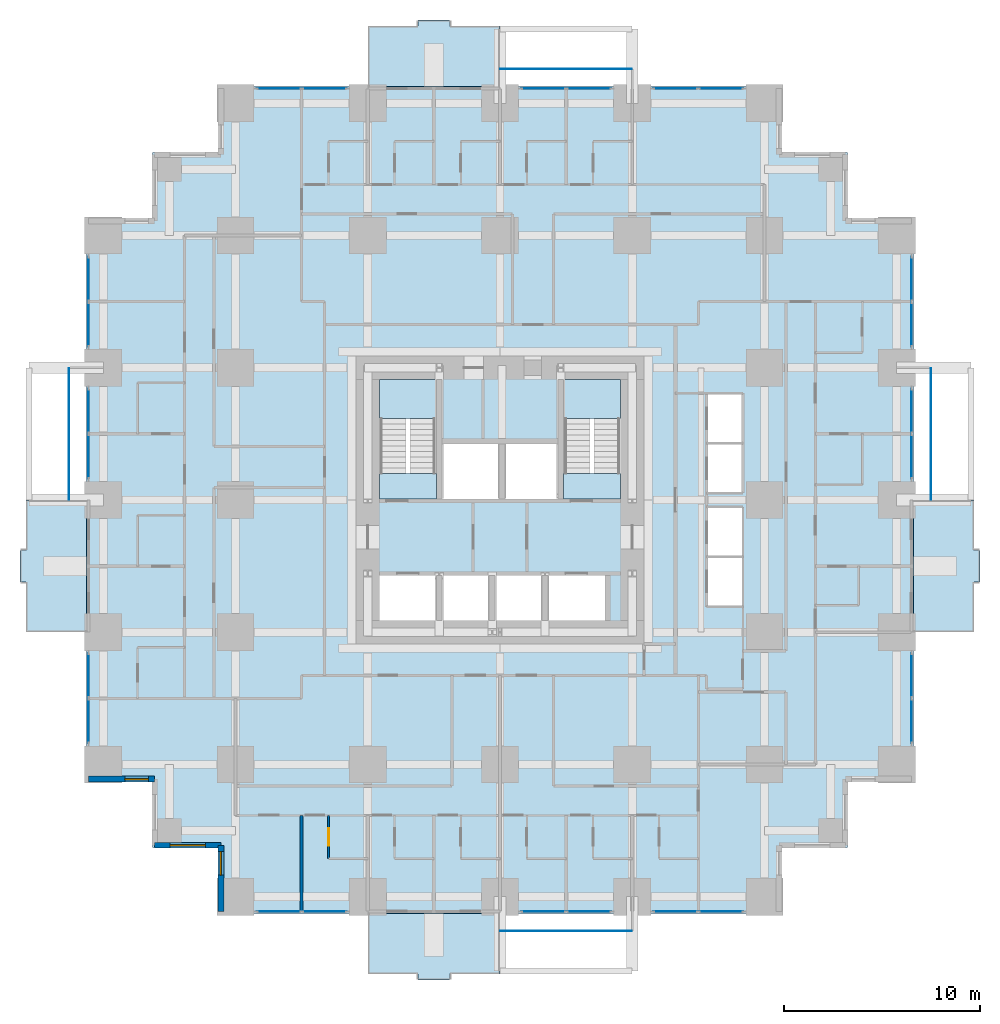
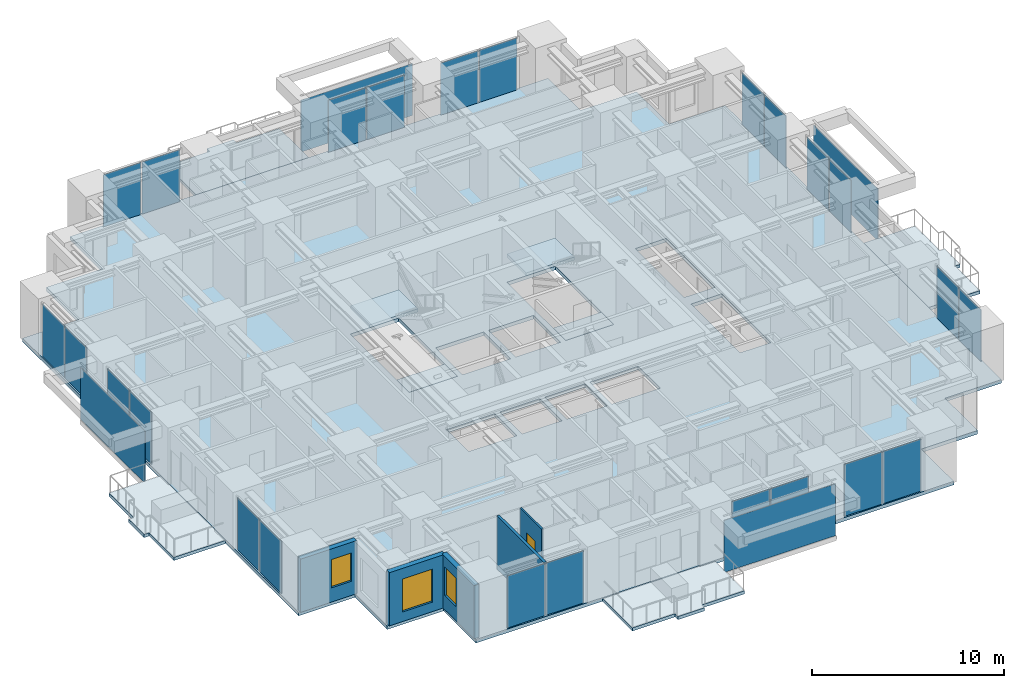
# One storey, part 7 of 14: 28 plates, 9 slabs, 5 walls, 3 windows, 1 door, 4 openings, 14 elements without a shape of their own.
"""IFC4 building model written with IfcOpenShell, lengths in metres."""

from ifc_helpers import new_model, si_unit, direction, frame, frame_2d, origin, origin_2d, place, context, subcontext, project, spatial, polyline, rectangle, outline, extrude, material, layer, layer_set, type_object, element, fill, aggregate, save


model = new_model("IFC4")

# Units and contexts
model_context = context("Model", 3, precision=1e-05, world=origin(), true_north=direction((0.0, 1.0)))
body_context = subcontext(model_context, "Body", "Model", "MODEL_VIEW")
ifc_project = project(units=[si_unit("LENGTHUNIT", "METRE"), si_unit("AREAUNIT", "SQUARE_METRE"), si_unit("VOLUMEUNIT", "CUBIC_METRE"), si_unit("PLANEANGLEUNIT", "RADIAN"), si_unit("MASSUNIT", "GRAM", prefix="KILO")], contexts=[model_context])

# Site, building, storey
site_placement = place(None, origin())
site = spatial("IfcSite", under=ifc_project, at=site_placement, CompositionType="ELEMENT")
building_placement = place(site_placement, origin())
building = spatial("IfcBuilding", under=site, at=building_placement, Name="Nyansa Garden Tower", CompositionType="ELEMENT")
storey_placement = place(building_placement, frame((0.0, 0.0, 39.60009765625)))
storey = spatial("IfcBuildingStorey", under=building, at=storey_placement, Name="L10", CompositionType="ELEMENT", Elevation=39.60009765625)

# Slabs
ifc_material_1 = material(Name="Concrete C40/50", Category="concrete")
ifc_layer_1 = layer(ifc_material_1, 0.199951171875)
ifc_layer_set_1 = layer_set([ifc_layer_1], Name="Balcony slab BS200")
slab_type_1 = type_object("IfcSlabType", Name="Balcony slab BS200", PredefinedType="FLOOR", material=ifc_layer_set_1)
slab_1_placement = place(storey_placement, frame((0.0, 0.0, -0.239990234375)))
element("IfcSlab", 1, at=slab_1_placement, inside=storey, type_object=slab_type_1, Name="Balcony L10 S", PredefinedType="FLOOR", context=body_context, shape_type="SweptSolid", body=[
    extrude(outline(polyline([(13.5, -0.85009765625), (20.25, -0.85009765625), (20.25, -3.949951171875), (17.675048828125, -3.949951171875), (17.675048828125, -4.25), (16.074951171875, -4.25), (16.074951171875, -3.949951171875), (13.5, -3.949951171875), (13.5, -0.85009765625)])), origin(), (0.0, 0.0, 1.0), 0.199951171875),
])
slab_2_placement = place(storey_placement, frame((0.0, 0.0, -0.239990234375)))
element("IfcSlab", 2, at=slab_2_placement, inside=storey, type_object=slab_type_1, Name="Balcony L10 E", PredefinedType="FLOOR", context=body_context, shape_type="SweptSolid", body=[
    extrude(outline(polyline([(41.35009765625, 13.5), (41.35009765625, 20.25), (44.449951171875, 20.25), (44.449951171875, 17.675048828125), (44.75, 17.675048828125), (44.75, 16.074951171875), (44.449951171875, 16.074951171875), (44.449951171875, 13.5), (41.35009765625, 13.5)])), origin(), (0.0, 0.0, 1.0), 0.199951171875),
])
slab_3_placement = place(storey_placement, frame((0.0, 0.0, -0.239990234375)))
element("IfcSlab", 3, at=slab_3_placement, inside=storey, type_object=slab_type_1, Name="Balcony L10 N", PredefinedType="FLOOR", context=body_context, shape_type="SweptSolid", body=[
    extrude(outline(polyline([(13.5, 41.35009765625), (20.25, 41.35009765625), (20.25, 44.449951171875), (17.675048828125, 44.449951171875), (17.675048828125, 44.75), (16.074951171875, 44.75), (16.074951171875, 44.449951171875), (13.5, 44.449951171875), (13.5, 41.35009765625)])), origin(), (0.0, 0.0, 1.0), 0.199951171875),
])
slab_4_placement = place(storey_placement, frame((0.0, 0.0, -0.239990234375)))
element("IfcSlab", 4, at=slab_4_placement, inside=storey, type_object=slab_type_1, Name="Balcony L10 W", PredefinedType="FLOOR", context=body_context, shape_type="SweptSolid", body=[
    extrude(outline(polyline([(-0.85009765625, 13.5), (-0.85009765625, 20.25), (-3.949951171875, 20.25), (-3.949951171875, 17.675048828125), (-4.25, 17.675048828125), (-4.25, 16.074951171875), (-3.949951171875, 16.074951171875), (-3.949951171875, 13.5), (-0.85009765625, 13.5)])), origin(), (0.0, 0.0, 1.0), 0.199951171875),
])

# Curtain wall, plates
ifc_material_2 = material(Name="Black anodised aluminium, dark tinted double glazing", Category="aluminium")
curtain_wall_type = type_object("IfcCurtainWallType", Name="Inner skin curtain wall ISW-A", PredefinedType="USERDEFINED", material=ifc_material_2)
curtain_wall_1_placement = place(storey_placement, origin())
curtain_wall_1 = element("IfcCurtainWall", 5, at=curtain_wall_1_placement, inside=storey, type_object=curtain_wall_type, Name="Inner skin curtain wall L10 E", ObjectType="UNITISED CURTAIN WALL", PredefinedType="USERDEFINED")
ifc_material_3 = material(Name="Dark tinted laminated double glazing", Category="glass")
ifc_layer_2 = layer(ifc_material_3, 0.031982421875)
ifc_layer_set_2 = layer_set([ifc_layer_2], Name="Dark tinted vision panel VP-A")
plate_type_1 = type_object("IfcPlateType", Name="Dark tinted vision panel VP-A", PredefinedType="CURTAIN_PANEL", material=ifc_layer_set_2)
plate_1_placement = place(storey_placement, frame((41.25, 8.96240234375, -0.000244140625), z_axis=(0.0, 0.0, 1.0), x_axis=(0.0, 1.0, 0.0)))
plate_1 = element("IfcPlate", 6, at=plate_1_placement, type_object=plate_type_1, Name="ISW-A panel 1", PredefinedType="CURTAIN_PANEL", context=body_context, shape_type="SweptSolid", body=[
    extrude(rectangle(XDim=2.260009765625, YDim=0.031982421875, at=origin_2d()), origin(), (0.0, 0.0, 1.0), 3.31005859375),
])
plate_2_placement = place(storey_placement, frame((41.25, 11.28759765625, -0.000244140625), z_axis=(0.0, 0.0, 1.0), x_axis=(0.0, 1.0, 0.0)))
plate_2 = element("IfcPlate", 7, at=plate_2_placement, type_object=plate_type_1, Name="ISW-A panel 2", PredefinedType="CURTAIN_PANEL", context=body_context, shape_type="SweptSolid", body=[
    extrude(rectangle(XDim=2.260009765625, YDim=0.031982421875, at=origin_2d()), origin(), (0.0, 0.0, 1.0), 3.31005859375),
])
aggregate(curtain_wall_1, [plate_1, plate_2])

curtain_wall_2_placement = place(storey_placement, origin())
curtain_wall_2 = element("IfcCurtainWall", 8, at=curtain_wall_2_placement, inside=storey, type_object=curtain_wall_type, Name="Inner skin curtain wall L10 E", ObjectType="UNITISED CURTAIN WALL", PredefinedType="USERDEFINED")
plate_3_placement = place(storey_placement, frame((41.25, 22.46240234375, -0.000244140625), z_axis=(0.0, 0.0, 1.0), x_axis=(0.0, 1.0, 0.0)))
plate_3 = element("IfcPlate", 9, at=plate_3_placement, type_object=plate_type_1, Name="ISW-A panel 1", PredefinedType="CURTAIN_PANEL", context=body_context, shape_type="SweptSolid", body=[
    extrude(rectangle(XDim=2.260009765625, YDim=0.031982421875, at=origin_2d()), origin(), (0.0, 0.0, 1.0), 3.31005859375),
])
plate_4_placement = place(storey_placement, frame((41.25, 24.78759765625, -0.000244140625), z_axis=(0.0, 0.0, 1.0), x_axis=(0.0, 1.0, 0.0)))
plate_4 = element("IfcPlate", 10, at=plate_4_placement, type_object=plate_type_1, Name="ISW-A panel 2", PredefinedType="CURTAIN_PANEL", context=body_context, shape_type="SweptSolid", body=[
    extrude(rectangle(XDim=2.260009765625, YDim=0.031982421875, at=origin_2d()), origin(), (0.0, 0.0, 1.0), 3.31005859375),
])
aggregate(curtain_wall_2, [plate_3, plate_4])

curtain_wall_3_placement = place(storey_placement, origin())
curtain_wall_3 = element("IfcCurtainWall", 11, at=curtain_wall_3_placement, inside=storey, type_object=curtain_wall_type, Name="Inner skin curtain wall L10 E", ObjectType="UNITISED CURTAIN WALL", PredefinedType="USERDEFINED")
plate_5_placement = place(storey_placement, frame((41.25, 29.21240234375, -0.000244140625), z_axis=(0.0, 0.0, 1.0), x_axis=(0.0, 1.0, 0.0)))
plate_5 = element("IfcPlate", 12, at=plate_5_placement, type_object=plate_type_1, Name="ISW-A panel 1", PredefinedType="CURTAIN_PANEL", context=body_context, shape_type="SweptSolid", body=[
    extrude(rectangle(XDim=2.260009765625, YDim=0.031982421875, at=origin_2d()), origin(), (0.0, 0.0, 1.0), 3.31005859375),
])
plate_6_placement = place(storey_placement, frame((41.25, 31.53759765625, -0.000244140625), z_axis=(0.0, 0.0, 1.0), x_axis=(0.0, 1.0, 0.0)))
plate_6 = element("IfcPlate", 13, at=plate_6_placement, type_object=plate_type_1, Name="ISW-A panel 2", PredefinedType="CURTAIN_PANEL", context=body_context, shape_type="SweptSolid", body=[
    extrude(rectangle(XDim=2.260009765625, YDim=0.031982421875, at=origin_2d()), origin(), (0.0, 0.0, 1.0), 3.31005859375),
])
aggregate(curtain_wall_3, [plate_5, plate_6])

curtain_wall_4_placement = place(storey_placement, origin())
curtain_wall_4 = element("IfcCurtainWall", 14, at=curtain_wall_4_placement, inside=storey, type_object=curtain_wall_type, Name="Inner skin curtain wall L10 N", ObjectType="UNITISED CURTAIN WALL", PredefinedType="USERDEFINED")
plate_7_placement = place(storey_placement, frame((11.28759765625, 41.25, -0.000244140625), z_axis=(0.0, 0.0, 1.0), x_axis=(-1.0, 0.0, 0.0)))
plate_7 = element("IfcPlate", 15, at=plate_7_placement, type_object=plate_type_1, Name="ISW-A panel 1", PredefinedType="CURTAIN_PANEL", context=body_context, shape_type="SweptSolid", body=[
    extrude(rectangle(XDim=2.260009765625, YDim=0.031982421875, at=origin_2d()), origin(), (0.0, 0.0, 1.0), 3.31005859375),
])
plate_8_placement = place(storey_placement, frame((8.96240234375, 41.25, -0.000244140625), z_axis=(0.0, 0.0, 1.0), x_axis=(-1.0, 0.0, 0.0)))
plate_8 = element("IfcPlate", 16, at=plate_8_placement, type_object=plate_type_1, Name="ISW-A panel 2", PredefinedType="CURTAIN_PANEL", context=body_context, shape_type="SweptSolid", body=[
    extrude(rectangle(XDim=2.260009765625, YDim=0.031982421875, at=origin_2d()), origin(), (0.0, 0.0, 1.0), 3.31005859375),
])
aggregate(curtain_wall_4, [plate_7, plate_8])

curtain_wall_5_placement = place(storey_placement, origin())
curtain_wall_5 = element("IfcCurtainWall", 17, at=curtain_wall_5_placement, inside=storey, type_object=curtain_wall_type, Name="Inner skin curtain wall L10 N", ObjectType="UNITISED CURTAIN WALL", PredefinedType="USERDEFINED")
plate_9_placement = place(storey_placement, frame((31.53759765625, 41.25, -0.000244140625), z_axis=(0.0, 0.0, 1.0), x_axis=(-1.0, 0.0, 0.0)))
plate_9 = element("IfcPlate", 18, at=plate_9_placement, type_object=plate_type_1, Name="ISW-A panel 1", PredefinedType="CURTAIN_PANEL", context=body_context, shape_type="SweptSolid", body=[
    extrude(rectangle(XDim=2.260009765625, YDim=0.031982421875, at=origin_2d()), origin(), (0.0, 0.0, 1.0), 3.31005859375),
])
plate_10_placement = place(storey_placement, frame((29.21240234375, 41.25, -0.000244140625), z_axis=(0.0, 0.0, 1.0), x_axis=(-1.0, 0.0, 0.0)))
plate_10 = element("IfcPlate", 19, at=plate_10_placement, type_object=plate_type_1, Name="ISW-A panel 2", PredefinedType="CURTAIN_PANEL", context=body_context, shape_type="SweptSolid", body=[
    extrude(rectangle(XDim=2.260009765625, YDim=0.031982421875, at=origin_2d()), origin(), (0.0, 0.0, 1.0), 3.31005859375),
])
aggregate(curtain_wall_5, [plate_9, plate_10])

curtain_wall_6_placement = place(storey_placement, origin())
curtain_wall_6 = element("IfcCurtainWall", 20, at=curtain_wall_6_placement, inside=storey, type_object=curtain_wall_type, Name="Inner skin curtain wall L10 N", ObjectType="UNITISED CURTAIN WALL", PredefinedType="USERDEFINED")
plate_11_placement = place(storey_placement, frame((24.78759765625, 41.25, -0.000244140625), z_axis=(0.0, 0.0, 1.0), x_axis=(-1.0, 0.0, 0.0)))
plate_11 = element("IfcPlate", 21, at=plate_11_placement, type_object=plate_type_1, Name="ISW-A panel 1", PredefinedType="CURTAIN_PANEL", context=body_context, shape_type="SweptSolid", body=[
    extrude(rectangle(XDim=2.260009765625, YDim=0.031982421875, at=origin_2d()), origin(), (0.0, 0.0, 1.0), 3.31005859375),
])
plate_12_placement = place(storey_placement, frame((22.46240234375, 41.25, -0.000244140625), z_axis=(0.0, 0.0, 1.0), x_axis=(-1.0, 0.0, 0.0)))
plate_12 = element("IfcPlate", 22, at=plate_12_placement, type_object=plate_type_1, Name="ISW-A panel 2", PredefinedType="CURTAIN_PANEL", context=body_context, shape_type="SweptSolid", body=[
    extrude(rectangle(XDim=2.260009765625, YDim=0.031982421875, at=origin_2d()), origin(), (0.0, 0.0, 1.0), 3.31005859375),
])
aggregate(curtain_wall_6, [plate_11, plate_12])

curtain_wall_7_placement = place(storey_placement, origin())
curtain_wall_7 = element("IfcCurtainWall", 23, at=curtain_wall_7_placement, inside=storey, type_object=curtain_wall_type, Name="Inner skin curtain wall L10 W", ObjectType="UNITISED CURTAIN WALL", PredefinedType="USERDEFINED")
plate_13_placement = place(storey_placement, frame((-0.75, 11.28759765625, -0.000244140625), z_axis=(0.0, 0.0, 1.0), x_axis=(0.0, -1.0, 0.0)))
plate_13 = element("IfcPlate", 24, at=plate_13_placement, type_object=plate_type_1, Name="ISW-A panel 1", PredefinedType="CURTAIN_PANEL", context=body_context, shape_type="SweptSolid", body=[
    extrude(rectangle(XDim=2.260009765625, YDim=0.031982421875, at=origin_2d()), origin(), (0.0, 0.0, 1.0), 3.31005859375),
])
plate_14_placement = place(storey_placement, frame((-0.75, 8.96240234375, -0.000244140625), z_axis=(0.0, 0.0, 1.0), x_axis=(0.0, -1.0, 0.0)))
plate_14 = element("IfcPlate", 25, at=plate_14_placement, type_object=plate_type_1, Name="ISW-A panel 2", PredefinedType="CURTAIN_PANEL", context=body_context, shape_type="SweptSolid", body=[
    extrude(rectangle(XDim=2.260009765625, YDim=0.031982421875, at=origin_2d()), origin(), (0.0, 0.0, 1.0), 3.31005859375),
])
aggregate(curtain_wall_7, [plate_13, plate_14])

curtain_wall_8_placement = place(storey_placement, origin())
curtain_wall_8 = element("IfcCurtainWall", 26, at=curtain_wall_8_placement, inside=storey, type_object=curtain_wall_type, Name="Inner skin curtain wall L10 W", ObjectType="UNITISED CURTAIN WALL", PredefinedType="USERDEFINED")
plate_15_placement = place(storey_placement, frame((-0.75, 31.53759765625, -0.000244140625), z_axis=(0.0, 0.0, 1.0), x_axis=(0.0, -1.0, 0.0)))
plate_15 = element("IfcPlate", 27, at=plate_15_placement, type_object=plate_type_1, Name="ISW-A panel 1", PredefinedType="CURTAIN_PANEL", context=body_context, shape_type="SweptSolid", body=[
    extrude(rectangle(XDim=2.260009765625, YDim=0.031982421875, at=origin_2d()), origin(), (0.0, 0.0, 1.0), 3.31005859375),
])
plate_16_placement = place(storey_placement, frame((-0.75, 29.21240234375, -0.000244140625), z_axis=(0.0, 0.0, 1.0), x_axis=(0.0, -1.0, 0.0)))
plate_16 = element("IfcPlate", 28, at=plate_16_placement, type_object=plate_type_1, Name="ISW-A panel 2", PredefinedType="CURTAIN_PANEL", context=body_context, shape_type="SweptSolid", body=[
    extrude(rectangle(XDim=2.260009765625, YDim=0.031982421875, at=origin_2d()), origin(), (0.0, 0.0, 1.0), 3.31005859375),
])
aggregate(curtain_wall_8, [plate_15, plate_16])

curtain_wall_9_placement = place(storey_placement, origin())
curtain_wall_9 = element("IfcCurtainWall", 29, at=curtain_wall_9_placement, inside=storey, type_object=curtain_wall_type, Name="Inner skin curtain wall L10 W", ObjectType="UNITISED CURTAIN WALL", PredefinedType="USERDEFINED")
plate_17_placement = place(storey_placement, frame((-0.75, 24.78759765625, -0.000244140625), z_axis=(0.0, 0.0, 1.0), x_axis=(0.0, -1.0, 0.0)))
plate_17 = element("IfcPlate", 30, at=plate_17_placement, type_object=plate_type_1, Name="ISW-A panel 1", PredefinedType="CURTAIN_PANEL", context=body_context, shape_type="SweptSolid", body=[
    extrude(rectangle(XDim=2.260009765625, YDim=0.031982421875, at=origin_2d()), origin(), (0.0, 0.0, 1.0), 3.31005859375),
])
plate_18_placement = place(storey_placement, frame((-0.75, 22.46240234375, -0.000244140625), z_axis=(0.0, 0.0, 1.0), x_axis=(0.0, -1.0, 0.0)))
plate_18 = element("IfcPlate", 31, at=plate_18_placement, type_object=plate_type_1, Name="ISW-A panel 2", PredefinedType="CURTAIN_PANEL", context=body_context, shape_type="SweptSolid", body=[
    extrude(rectangle(XDim=2.260009765625, YDim=0.031982421875, at=origin_2d()), origin(), (0.0, 0.0, 1.0), 3.31005859375),
])
aggregate(curtain_wall_9, [plate_17, plate_18])

curtain_wall_10_placement = place(storey_placement, origin())
curtain_wall_10 = element("IfcCurtainWall", 32, at=curtain_wall_10_placement, inside=storey, type_object=curtain_wall_type, Name="Inner skin curtain wall L10 S", ObjectType="UNITISED CURTAIN WALL", PredefinedType="USERDEFINED")
plate_19_placement = place(storey_placement, frame((8.96240234375, -0.75, -0.000244140625), z_axis=(0.0, 0.0, 1.0), x_axis=(1.0, 0.0, 0.0)))
plate_19 = element("IfcPlate", 33, at=plate_19_placement, type_object=plate_type_1, Name="ISW-A panel 1", PredefinedType="CURTAIN_PANEL", context=body_context, shape_type="SweptSolid", body=[
    extrude(rectangle(XDim=2.260009765625, YDim=0.031982421875, at=origin_2d()), origin(), (0.0, 0.0, 1.0), 3.31005859375),
])
plate_20_placement = place(storey_placement, frame((11.28759765625, -0.75, -0.000244140625), z_axis=(0.0, 0.0, 1.0), x_axis=(1.0, 0.0, 0.0)))
plate_20 = element("IfcPlate", 34, at=plate_20_placement, type_object=plate_type_1, Name="ISW-A panel 2", PredefinedType="CURTAIN_PANEL", context=body_context, shape_type="SweptSolid", body=[
    extrude(rectangle(XDim=2.260009765625, YDim=0.031982421875, at=origin_2d()), origin(), (0.0, 0.0, 1.0), 3.31005859375),
])
aggregate(curtain_wall_10, [plate_19, plate_20])

curtain_wall_11_placement = place(storey_placement, origin())
curtain_wall_11 = element("IfcCurtainWall", 35, at=curtain_wall_11_placement, inside=storey, type_object=curtain_wall_type, Name="Inner skin curtain wall L10 S", ObjectType="UNITISED CURTAIN WALL", PredefinedType="USERDEFINED")
plate_21_placement = place(storey_placement, frame((22.46240234375, -0.75, -0.000244140625), z_axis=(0.0, 0.0, 1.0), x_axis=(1.0, 0.0, 0.0)))
plate_21 = element("IfcPlate", 36, at=plate_21_placement, type_object=plate_type_1, Name="ISW-A panel 1", PredefinedType="CURTAIN_PANEL", context=body_context, shape_type="SweptSolid", body=[
    extrude(rectangle(XDim=2.260009765625, YDim=0.031982421875, at=origin_2d()), origin(), (0.0, 0.0, 1.0), 3.31005859375),
])
plate_22_placement = place(storey_placement, frame((24.78759765625, -0.75, -0.000244140625), z_axis=(0.0, 0.0, 1.0), x_axis=(1.0, 0.0, 0.0)))
plate_22 = element("IfcPlate", 37, at=plate_22_placement, type_object=plate_type_1, Name="ISW-A panel 2", PredefinedType="CURTAIN_PANEL", context=body_context, shape_type="SweptSolid", body=[
    extrude(rectangle(XDim=2.260009765625, YDim=0.031982421875, at=origin_2d()), origin(), (0.0, 0.0, 1.0), 3.31005859375),
])
aggregate(curtain_wall_11, [plate_21, plate_22])

curtain_wall_12_placement = place(storey_placement, origin())
curtain_wall_12 = element("IfcCurtainWall", 38, at=curtain_wall_12_placement, inside=storey, type_object=curtain_wall_type, Name="Inner skin curtain wall L10 S", ObjectType="UNITISED CURTAIN WALL", PredefinedType="USERDEFINED")
plate_23_placement = place(storey_placement, frame((29.21240234375, -0.75, -0.000244140625), z_axis=(0.0, 0.0, 1.0), x_axis=(1.0, 0.0, 0.0)))
plate_23 = element("IfcPlate", 39, at=plate_23_placement, type_object=plate_type_1, Name="ISW-A panel 1", PredefinedType="CURTAIN_PANEL", context=body_context, shape_type="SweptSolid", body=[
    extrude(rectangle(XDim=2.260009765625, YDim=0.031982421875, at=origin_2d()), origin(), (0.0, 0.0, 1.0), 3.31005859375),
])
plate_24_placement = place(storey_placement, frame((31.53759765625, -0.75, -0.000244140625), z_axis=(0.0, 0.0, 1.0), x_axis=(1.0, 0.0, 0.0)))
plate_24 = element("IfcPlate", 40, at=plate_24_placement, type_object=plate_type_1, Name="ISW-A panel 2", PredefinedType="CURTAIN_PANEL", context=body_context, shape_type="SweptSolid", body=[
    extrude(rectangle(XDim=2.260009765625, YDim=0.031982421875, at=origin_2d()), origin(), (0.0, 0.0, 1.0), 3.31005859375),
])
aggregate(curtain_wall_12, [plate_23, plate_24])

# Slab
ifc_material_4 = material(Name="Concrete C40/50", Category="concrete")
ifc_layer_3 = layer(ifc_material_4, 0.22509765625)
ifc_layer_set_3 = layer_set([ifc_layer_3], Name="Floor slab FS225")
slab_type_2 = type_object("IfcSlabType", Name="Floor slab FS225", PredefinedType="FLOOR", material=ifc_layer_set_3)
slab_5_placement = place(storey_placement, frame((0.0, 0.0, -0.22509765625)))
element("IfcSlab", 41, at=slab_5_placement, inside=storey, type_object=slab_type_2, Name="Floor slab L10", PredefinedType="FLOOR", context=body_context, shape_type="SweptSolid", body=[
    extrude(outline(polyline([(41.35009765625, 5.89990234375), (37.97509765625, 5.89990234375), (37.97509765625, 2.52490234375), (34.60009765625, 2.52490234375), (34.60009765625, -0.85009765625), (5.89990234375, -0.85009765625), (5.89990234375, 2.52490234375), (2.52490234375, 2.52490234375), (2.52490234375, 5.89990234375), (-0.85009765625, 5.89990234375), (-0.85009765625, 34.60009765625), (2.52490234375, 34.60009765625), (2.52490234375, 37.97509765625), (5.89990234375, 37.97509765625), (5.89990234375, 41.35009765625), (34.60009765625, 41.35009765625), (34.60009765625, 37.97509765625), (37.97509765625, 37.97509765625), (37.97509765625, 34.60009765625), (41.35009765625, 34.60009765625), (41.35009765625, 5.89990234375)]), holes=[polyline([(14.10009765625, 14.10009765625), (17.0, 14.10009765625), (17.0, 16.39990234375), (14.10009765625, 16.39990234375), (14.10009765625, 14.10009765625)]), polyline([(17.300048828125, 14.10009765625), (19.699951171875, 14.10009765625), (19.699951171875, 16.39990234375), (17.300048828125, 16.39990234375), (17.300048828125, 14.10009765625)]), polyline([(20.0, 14.10009765625), (22.39990234375, 14.10009765625), (22.39990234375, 16.39990234375), (20.0, 16.39990234375), (20.0, 14.10009765625)]), polyline([(22.699951171875, 14.10009765625), (25.60009765625, 14.10009765625), (25.60009765625, 16.39990234375), (22.699951171875, 16.39990234375), (22.699951171875, 14.10009765625)]), polyline([(17.300048828125, 20.300048828125), (20.199951171875, 20.300048828125), (20.199951171875, 23.10009765625), (17.300048828125, 23.10009765625), (17.300048828125, 20.300048828125)]), polyline([(20.5, 20.300048828125), (23.199951171875, 20.300048828125), (23.199951171875, 23.10009765625), (20.5, 23.10009765625), (20.5, 20.300048828125)]), polyline([(30.800048828125, 14.800048828125), (32.64990234375, 14.800048828125), (32.64990234375, 19.89990234375), (30.800048828125, 19.89990234375), (30.800048828125, 14.800048828125)]), polyline([(30.800048828125, 20.60009765625), (32.64990234375, 20.60009765625), (32.64990234375, 25.699951171875), (30.800048828125, 25.699951171875), (30.800048828125, 20.60009765625)]), polyline([(14.10009765625, 20.300048828125), (17.0, 20.300048828125), (17.0, 26.39990234375), (14.10009765625, 26.39990234375), (14.10009765625, 20.300048828125)]), polyline([(23.5, 20.300048828125), (26.39990234375, 20.300048828125), (26.39990234375, 26.39990234375), (23.5, 26.39990234375), (23.5, 20.300048828125)])]), origin(), (0.0, 0.0, 1.0), 0.22509765625),
])

# Plates
ifc_material_5 = material(Name="Dark tinted laminated glass", Category="glass")
ifc_layer_4 = layer(ifc_material_5, 0.02392578125)
ifc_layer_set_4 = layer_set([ifc_layer_4], Name="Outer skin glass panel OS1")
plate_type_2 = type_object("IfcPlateType", Name="Outer skin glass panel OS1", PredefinedType="USERDEFINED", material=ifc_layer_set_4)
for number, where, z_axis, x_axis, name in (
    (42, (42.25, 23.625, -0.22509765625), (0.0, 0.0, 1.0), (0.0, 1.0, 0.0), "Outer skin glass panel L10"),
    (43, (23.625, 42.25, -0.22509765625), (0.0, 0.0, 1.0), (1.0, 0.0, 0.0), "Outer skin glass panel L10"),
    (44, (-1.75, 23.625, -0.22509765625), (0.0, 0.0, 1.0), (0.0, 1.0, 0.0), "Outer skin glass panel L10"),
    (45, (23.625, -1.75, -0.22509765625), (0.0, 0.0, 1.0), (1.0, 0.0, 0.0), "Outer skin glass panel L10"),
):
    element("IfcPlate", number, at=place(storey_placement, frame(where, z_axis=z_axis, x_axis=x_axis)), inside=storey, type_object=plate_type_2, Name=name, ObjectType="OUTER SKIN GLASS", PredefinedType="USERDEFINED", context=body_context, shape_type="SweptSolid", body=[
        extrude(rectangle(XDim=6.7099609375, YDim=0.02392578125, at=origin_2d()), origin(), (0.0, 0.0, 1.0), 3.300048828125),
    ])

# Stair, slabs
ifc_material_6 = material(Name="Precast concrete C40/50", Category="concrete")
stair_type_1 = type_object("IfcStairType", Name="Stair S1 164x280", PredefinedType="HALF_TURN_STAIR", material=ifc_material_6)
stair_1_placement = place(storey_placement, origin())
stair_1 = element("IfcStair", 46, at=stair_1_placement, inside=storey, type_object=stair_type_1, Name="Stair S1 L10", PredefinedType="HALF_TURN_STAIR")
ifc_material_7 = material(Name="Concrete C40/50", Category="concrete")
ifc_layer_5 = layer(ifc_material_7, 0.199951171875)
ifc_layer_set_5 = layer_set([ifc_layer_5], Name="Stair landing SL200")
slab_type_3 = type_object("IfcSlabType", Name="Stair landing SL200", PredefinedType="LANDING", material=ifc_layer_set_5)
slab_6_placement = place(storey_placement, frame((0.0, 0.0, -0.2001953125)))
slab_6 = element("IfcSlab", 47, at=slab_6_placement, type_object=slab_type_3, Name="S1 landing 1", PredefinedType="LANDING", context=body_context, shape_type="SweptSolid", body=[
    extrude(outline(polyline([(14.10009765625, 20.300048828125), (17.0, 20.300048828125), (17.0, 21.60009765625), (14.10009765625, 21.60009765625), (14.10009765625, 20.300048828125)])), origin(), (0.0, 0.0, 1.0), 0.2001953125),
])
slab_7_placement = place(storey_placement, frame((0.0, 0.0, 1.599853515625)))
slab_7 = element("IfcSlab", 48, at=slab_7_placement, type_object=slab_type_3, Name="S1 landing 2", PredefinedType="LANDING", context=body_context, shape_type="SweptSolid", body=[
    extrude(outline(polyline([(14.10009765625, 24.39990234375), (17.0, 24.39990234375), (17.0, 26.39990234375), (14.10009765625, 26.39990234375), (14.10009765625, 24.39990234375)])), origin(), (0.0, 0.0, 1.0), 0.199951171875),
])
aggregate(stair_1, [slab_6, slab_7])

ifc_material_8 = material(Name="Precast concrete C40/50", Category="concrete")
stair_type_2 = type_object("IfcStairType", Name="Stair S2 164x280", PredefinedType="HALF_TURN_STAIR", material=ifc_material_8)
stair_2_placement = place(storey_placement, origin())
stair_2 = element("IfcStair", 49, at=stair_2_placement, inside=storey, type_object=stair_type_2, Name="Stair S2 L10", PredefinedType="HALF_TURN_STAIR")
slab_8_placement = place(storey_placement, frame((0.0, 0.0, -0.2001953125)))
slab_8 = element("IfcSlab", 50, at=slab_8_placement, type_object=slab_type_3, Name="S2 landing 1", PredefinedType="LANDING", context=body_context, shape_type="SweptSolid", body=[
    extrude(outline(polyline([(23.5, 20.300048828125), (26.39990234375, 20.300048828125), (26.39990234375, 21.60009765625), (23.5, 21.60009765625), (23.5, 20.300048828125)])), origin(), (0.0, 0.0, 1.0), 0.2001953125),
])
slab_9_placement = place(storey_placement, frame((0.0, 0.0, 1.599853515625)))
slab_9 = element("IfcSlab", 51, at=slab_9_placement, type_object=slab_type_3, Name="S2 landing 2", PredefinedType="LANDING", context=body_context, shape_type="SweptSolid", body=[
    extrude(outline(polyline([(23.5, 24.39990234375), (26.39990234375, 24.39990234375), (26.39990234375, 26.39990234375), (23.5, 26.39990234375), (23.5, 24.39990234375)])), origin(), (0.0, 0.0, 1.0), 0.199951171875),
])
aggregate(stair_2, [slab_8, slab_9])

# Wall
ifc_material_9 = material(Name="Blockwork, plastered both sides", Category="masonry")
ifc_layer_6 = layer(ifc_material_9, 0.14990234375)
ifc_layer_set_6 = layer_set([ifc_layer_6], Name="Partition PW150")
wall_type_1 = type_object("IfcWallType", Name="Partition PW150", PredefinedType="PARTITIONING", material=ifc_layer_set_6)
wall_1_placement = place(storey_placement, frame((10.125, -0.73388671875, 0.0), z_axis=(0.0, 0.0, 1.0), x_axis=(0.0, 1.0, 0.0)))
element("IfcWall", 52, at=wall_1_placement, inside=storey, type_object=wall_type_1, Name="Partition", PredefinedType="PARTITIONING", context=body_context, shape_type="SweptSolid", body=[
    extrude(rectangle(XDim=4.8837890625, YDim=0.14990234375, at=frame_2d((2.44189453125, 0.0))), origin(), (0.0, 0.0, 1.0), 3.375),
])

# Wall, opening, window
ifc_material_10 = material(Name="Turquoise glazed tile on concrete blockwork", Category="masonry")
ifc_layer_7 = layer(ifc_material_10, 0.300048828125)
ifc_layer_set_7 = layer_set([ifc_layer_7], Name="Tiled corner wall TW300")
wall_type_2 = type_object("IfcWallType", Name="Tiled corner wall TW300", PredefinedType="SOLIDWALL", material=ifc_layer_set_7)
wall_2_placement = place(storey_placement, frame((-0.75, 6.0, 0.0), z_axis=(0.0, 0.0, 1.0), x_axis=(1.0, 0.0, 0.0)))
wall_2 = element("IfcWall", 53, at=wall_2_placement, inside=storey, type_object=wall_type_2, Name="Tiled corner wall L10", PredefinedType="SOLIDWALL", context=body_context, shape_type="SweptSolid", body=[
    extrude(rectangle(XDim=3.375, YDim=0.300048828125, at=frame_2d((1.6875, 0.0))), origin(), (0.0, 0.0, 1.0), 3.375),
])
opening_1_placement = place(wall_2_placement, frame((1.857421875, 0.0, 0.89990234375)))
opening_1 = element("IfcOpeningElement", 54, at=opening_1_placement, cuts=wall_2, Name="Opening W4", PredefinedType="OPENING", context=body_context, shape_type="SweptSolid", body=[
    extrude(rectangle(XDim=1.199951171875, YDim=1.800048828125, at=frame_2d((0.60009765625, 0.89990234375))), frame((0.0, 0.159912109375, 0.0), z_axis=(0.0, -1.0, 0.0), x_axis=(1.0, 0.0, 0.0)), (0.0, 0.0, 1.0), 0.320068359375),
])
ifc_material_11 = material(Name="Black aluminium frame, dark tinted double glazing", Category="aluminium")
window_type_1 = type_object("IfcWindowType", Name="Window W4 1200x1800", PartitioningType="SINGLE_PANEL", PredefinedType="WINDOW", material=ifc_material_11)
window_1_placement = place(opening_1_placement, origin())
window_1 = element("IfcWindow", 55, at=window_1_placement, inside=storey, type_object=window_type_1, Name="Corner window L10", OverallHeight=1.800048828125, OverallWidth=1.199951171875, PartitioningType="SINGLE_PANEL", PredefinedType="WINDOW", context=body_context, shape_type="SweptSolid", body=[
    extrude(rectangle(XDim=1.199951171875, YDim=1.800048828125, at=frame_2d((0.60009765625, 0.89990234375))), frame((0.0, 0.030029296875, 0.0), z_axis=(0.0, -1.0, 0.0), x_axis=(1.0, 0.0, 0.0)), (0.0, 0.0, 1.0), 0.06005859375),
])
fill(opening_1, window_1)

wall_3_placement = place(storey_placement, frame((2.625, 2.625, 0.0), z_axis=(0.0, 0.0, 1.0), x_axis=(1.0, 0.0, 0.0)))
wall_3 = element("IfcWall", 56, at=wall_3_placement, inside=storey, type_object=wall_type_2, Name="Tiled corner wall L10", PredefinedType="SOLIDWALL", context=body_context, shape_type="SweptSolid", body=[
    extrude(rectangle(XDim=3.375, YDim=0.300048828125, at=frame_2d((1.6875, 0.0))), origin(), (0.0, 0.0, 1.0), 3.375),
])
opening_2_placement = place(wall_3_placement, frame((0.78759765625, 0.0, 0.60009765625)))
opening_2 = element("IfcOpeningElement", 57, at=opening_2_placement, cuts=wall_3, Name="Opening W2", PredefinedType="OPENING", context=body_context, shape_type="SweptSolid", body=[
    extrude(rectangle(XDim=1.800048828125, YDim=2.10009765625, at=frame_2d((0.89990234375, 1.050048828125))), frame((0.0, 0.159912109375, 0.0), z_axis=(0.0, -1.0, 0.0), x_axis=(1.0, 0.0, 0.0)), (0.0, 0.0, 1.0), 0.320068359375),
])
ifc_material_12 = material(Name="Black aluminium frame, dark tinted double glazing", Category="aluminium")
window_type_2 = type_object("IfcWindowType", Name="Window W2 1800x2100", PartitioningType="SINGLE_PANEL", PredefinedType="WINDOW", material=ifc_material_12)
window_2_placement = place(opening_2_placement, origin())
window_2 = element("IfcWindow", 58, at=window_2_placement, inside=storey, type_object=window_type_2, Name="Corner window L10", OverallHeight=2.10009765625, OverallWidth=1.800048828125, PartitioningType="SINGLE_PANEL", PredefinedType="WINDOW", context=body_context, shape_type="SweptSolid", body=[
    extrude(rectangle(XDim=1.800048828125, YDim=2.10009765625, at=frame_2d((0.89990234375, 1.050048828125))), frame((0.0, 0.030029296875, 0.0), z_axis=(0.0, -1.0, 0.0), x_axis=(1.0, 0.0, 0.0)), (0.0, 0.0, 1.0), 0.06005859375),
])
fill(opening_2, window_2)

wall_4_placement = place(storey_placement, frame((6.0, 2.625, 0.0), z_axis=(0.0, 0.0, 1.0), x_axis=(0.0, -1.0, 0.0)))
wall_4 = element("IfcWall", 59, at=wall_4_placement, inside=storey, type_object=wall_type_2, Name="Tiled corner wall L10", PredefinedType="SOLIDWALL", context=body_context, shape_type="SweptSolid", body=[
    extrude(rectangle(XDim=3.375, YDim=0.300048828125, at=frame_2d((1.6875, 0.0))), origin(), (0.0, 0.0, 1.0), 3.375),
])
opening_3_placement = place(wall_4_placement, frame((0.3173828125, 0.0, 0.89990234375)))
opening_3 = element("IfcOpeningElement", 60, at=opening_3_placement, cuts=wall_4, Name="Opening W4", PredefinedType="OPENING", context=body_context, shape_type="SweptSolid", body=[
    extrude(rectangle(XDim=1.199951171875, YDim=1.800048828125, at=frame_2d((0.60009765625, 0.89990234375))), frame((0.0, 0.159912109375, 0.0), z_axis=(0.0, -1.0, 0.0), x_axis=(1.0, 0.0, 0.0)), (0.0, 0.0, 1.0), 0.320068359375),
])
window_3_placement = place(opening_3_placement, origin())
window_3 = element("IfcWindow", 61, at=window_3_placement, inside=storey, type_object=window_type_1, Name="Corner window L10", OverallHeight=1.800048828125, OverallWidth=1.199951171875, PartitioningType="SINGLE_PANEL", PredefinedType="WINDOW", context=body_context, shape_type="SweptSolid", body=[
    extrude(rectangle(XDim=1.199951171875, YDim=1.800048828125, at=frame_2d((0.60009765625, 0.89990234375))), frame((0.0, 0.030029296875, 0.0), z_axis=(0.0, -1.0, 0.0), x_axis=(1.0, 0.0, 0.0)), (0.0, 0.0, 1.0), 0.06005859375),
])
fill(opening_3, window_3)

# Wall, opening, door
ifc_material_13 = material(Name="Moisture resistant board on steel studs, tiled", Category="steel")
ifc_layer_8 = layer(ifc_material_13, 0.10009765625)
ifc_layer_set_8 = layer_set([ifc_layer_8], Name="Wet wall PW100")
wall_type_3 = type_object("IfcWallType", Name="Wet wall PW100", PredefinedType="PARTITIONING", material=ifc_layer_set_8)
wall_5_placement = place(storey_placement, frame((11.5, 1.949951171875, 0.0), z_axis=(0.0, 0.0, 1.0), x_axis=(0.0, 1.0, 0.0)))
wall_5 = element("IfcWall", 62, at=wall_5_placement, inside=storey, type_object=wall_type_3, Name="Wet wall", PredefinedType="PARTITIONING", context=body_context, shape_type="SweptSolid", body=[
    extrude(rectangle(XDim=2.199951171875, YDim=0.10009765625, at=frame_2d((1.10009765625, 0.0))), origin(), (0.0, 0.0, 1.0), 3.375),
])
opening_4_placement = place(wall_5_placement, frame((0.64990234375, 0.0, 0.0)))
opening_4 = element("IfcOpeningElement", 63, at=opening_4_placement, cuts=wall_5, Name="Opening D02", PredefinedType="OPENING", context=body_context, shape_type="SweptSolid", body=[
    extrude(rectangle(XDim=0.89990234375, YDim=2.199951171875, at=frame_2d((0.449951171875, 1.10009765625))), frame((0.0, 0.06005859375, 0.0), z_axis=(0.0, -1.0, 0.0), x_axis=(1.0, 0.0, 0.0)), (0.0, 0.0, 1.0), 0.1201171875),
])
ifc_material_14 = material(Name="Timber flush door", Category="wood")
door_type = type_object("IfcDoorType", Name="En-suite door D02 900x2200", OperationType="SINGLE_SWING_RIGHT", PredefinedType="DOOR", material=ifc_material_14)
door_placement = place(opening_4_placement, origin())
door = element("IfcDoor", 64, at=door_placement, inside=storey, type_object=door_type, Name="Door L10-019", OperationType="SINGLE_SWING_RIGHT", OverallHeight=2.199951171875, OverallWidth=0.89990234375, PredefinedType="DOOR", context=body_context, shape_type="SweptSolid", body=[
    extrude(rectangle(XDim=0.89990234375, YDim=2.199951171875, at=frame_2d((0.449951171875, 1.10009765625))), frame((0.0, 0.02490234375, 0.0), z_axis=(0.0, -1.0, 0.0), x_axis=(1.0, 0.0, 0.0)), (0.0, 0.0, 1.0), 0.050048828125),
])
fill(opening_4, door)

save(model, "model.ifc")
